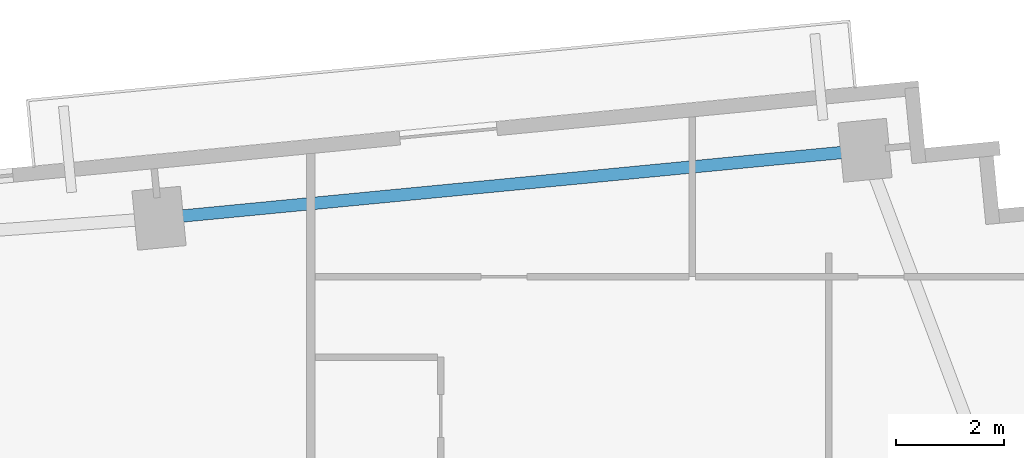
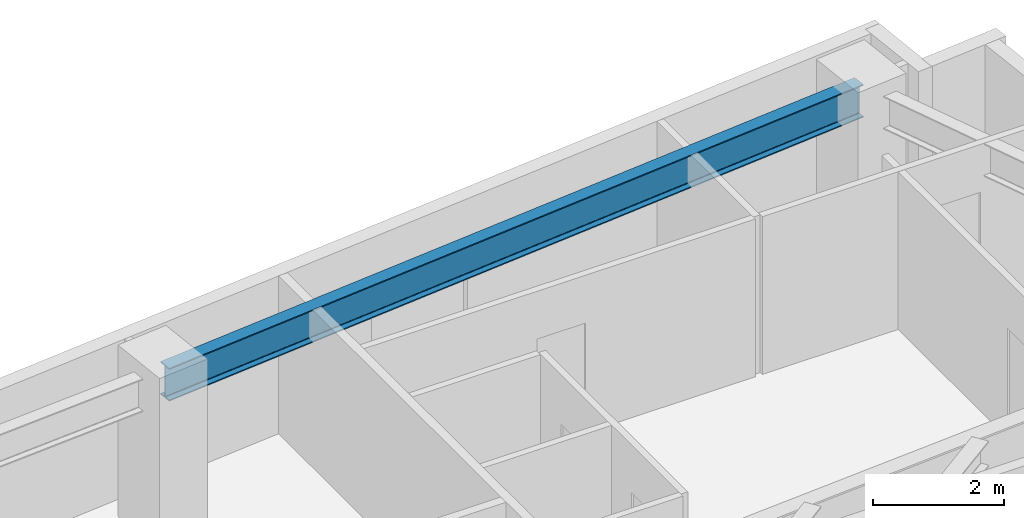
# One storey, part 18 of 27: 1 beam.
"""IFC4 building model written with IfcOpenShell, lengths in metres."""

from ifc_helpers import new_model, si_unit, direction, frame, origin, origin_2d, place, context, subcontext, project, spatial, i_section, extrude, source, transform, mapped, material, material_profile, profile_set, type_object, type_shapes, element, save


model = new_model("IFC4")

# Units and contexts
model_context = context("Model", 3, precision=1e-05, world=origin(), true_north=direction((0.0, 1.0)))
body_context = subcontext(model_context, "Body", "Model", "MODEL_VIEW")
ifc_project = project(units=[si_unit("LENGTHUNIT", "METRE"), si_unit("AREAUNIT", "SQUARE_METRE"), si_unit("VOLUMEUNIT", "CUBIC_METRE"), si_unit("PLANEANGLEUNIT", "RADIAN"), si_unit("MASSUNIT", "GRAM", prefix="KILO")], contexts=[model_context])

# Site, building, storey
site_placement = place(None, origin())
site = spatial("IfcSite", under=ifc_project, at=site_placement, CompositionType="ELEMENT")
building_placement = place(site_placement, origin())
building = spatial("IfcBuilding", under=site, at=building_placement, Name="Astriad Promenade Condominiums", CompositionType="ELEMENT")
storey_placement = place(building_placement, frame((0.0, 0.0, 93.800048828125)))
storey = spatial("IfcBuildingStorey", under=building, at=storey_placement, Name="L26", CompositionType="ELEMENT", Elevation=93.800048828125)

# Beam
ifc_material = material(Name="Steel ASTM A992 Grade 50", Category="steel")
ifc_material_profile = material_profile(ifc_material, i_section(OverallWidth=0.22900390625, OverallDepth=0.612060546875, WebThickness=0.011962890625, FlangeThickness=0.01953125, FilletRadius=0.017822265625, at=origin_2d()), Name="W24X84")
ifc_profile_set = profile_set([ifc_material_profile], Name="Steel ASTM A992 Grade 50")
beam_type = type_object("IfcBeamType", Name="STEEL SPANDREL BEAM W24X84", PredefinedType="SPANDREL", material=ifc_profile_set)
shared_shape = source(origin(), body_context, "Body", "SweptSolid", [
    extrude(i_section(OverallWidth=0.22900390625, OverallDepth=0.612060546875, WebThickness=0.011962890625, FlangeThickness=0.01953125, FilletRadius=0.017822265625, at=origin_2d()), origin(), (0.0, 0.0, 1.0), 13.020263671875),
])
type_shapes(beam_type, [shared_shape])
beam_placement = place(storey_placement, frame((64.394287109375, 27.5869140625, 2.6337890625), z_axis=(-0.995395311238, -0.095854965264, 0.0), x_axis=(0.095854965264, -0.995395311238, 0.0)))
element("IfcBeam", 1, at=beam_placement, inside=storey, type_object=beam_type, Name="Perimeter Spandrel Beam SP-N4-L26", PredefinedType="SPANDREL", context=body_context, shape_type="MappedRepresentation", body=[
    mapped(shared_shape, transform((0.0, 0.0, 0.0), scale=1.0)),
])

save(model, "model.ifc")
